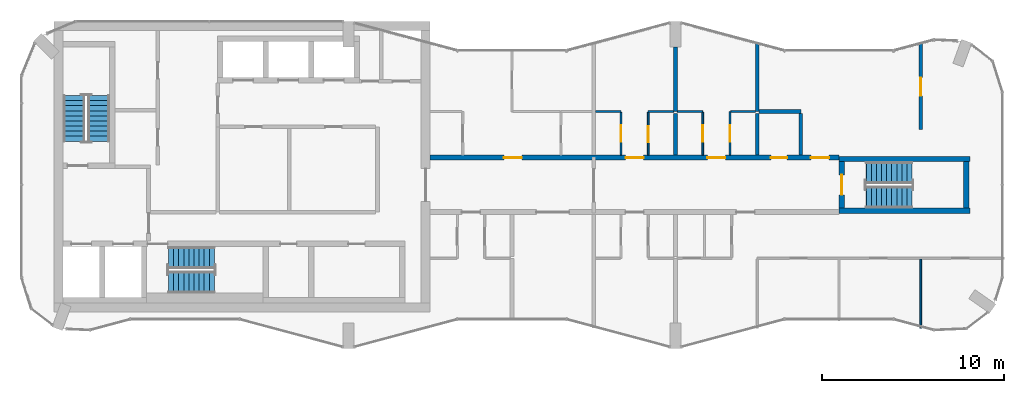
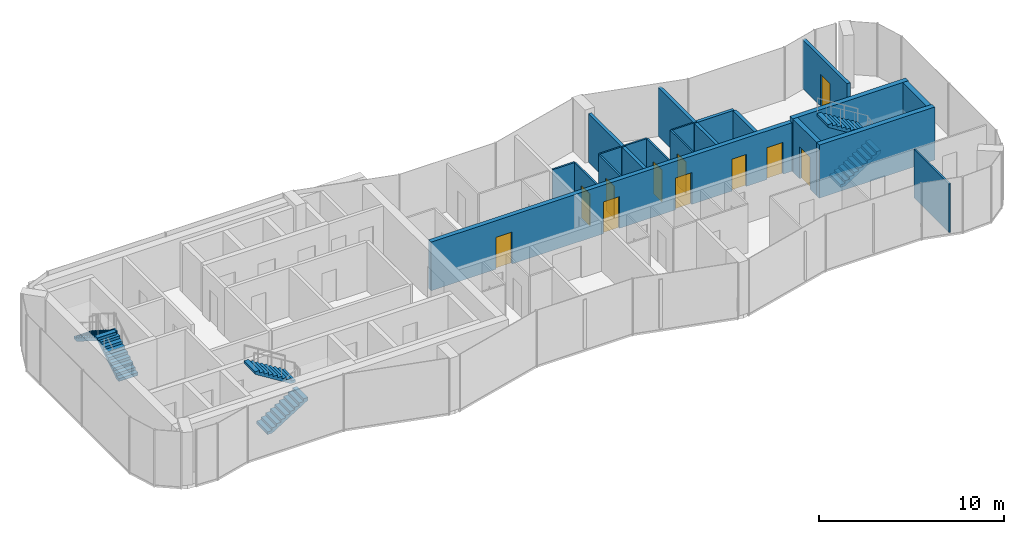
# One storey, part 8 of 9: 21 walls, 11 doors, 6 stair flights, 11 openings, 3 elements without a shape of their own.
"""IFC4 building model written with IfcOpenShell, lengths in metres."""

from ifc_helpers import new_model, si_unit, direction, frame, frame_2d, origin, place, context, subcontext, project, spatial, polyline, rectangle, outline, extrude, material, layer, layer_set, type_object, element, fill, aggregate, save


model = new_model("IFC4")

# Units and contexts
model_context = context("Model", 3, precision=1e-05, world=origin(), true_north=direction((0.0, 1.0)))
body_context = subcontext(model_context, "Body", "Model", "MODEL_VIEW")
ifc_project = project(units=[si_unit("LENGTHUNIT", "METRE"), si_unit("AREAUNIT", "SQUARE_METRE"), si_unit("VOLUMEUNIT", "CUBIC_METRE"), si_unit("PLANEANGLEUNIT", "RADIAN"), si_unit("MASSUNIT", "GRAM", prefix="KILO")], contexts=[model_context])

# Site, building, storey
site_placement = place(None, origin())
site = spatial("IfcSite", under=ifc_project, at=site_placement, CompositionType="ELEMENT")
building_placement = place(site_placement, origin())
building = spatial("IfcBuilding", under=site, at=building_placement, Name="Plateau Cross Towers", CompositionType="ELEMENT")
storey_placement = place(building_placement, frame((0.0, 0.0, 232.89990234375)))
storey = spatial("IfcBuildingStorey", under=building, at=storey_placement, Name="L61", CompositionType="ELEMENT", Elevation=232.89990234375)

# Wall, openings, doors
ifc_material_1 = material(Name="Concrete C60/75", Category="concrete")
ifc_layer_1 = layer(ifc_material_1, 0.27490234375)
ifc_layer_set_1 = layer_set([ifc_layer_1], Name="Concrete C60/75")
wall_type_1 = type_object("IfcWallType", Name="Corridor wall 275", PredefinedType="SHEAR", material=ifc_layer_set_1)
wall_1_placement = place(storey_placement, frame((22.5, 10.5, 0.0), z_axis=(0.0, 0.0, 1.0), x_axis=(1.0, 0.0, 0.0)))
wall_1 = element("IfcWall", 1, at=wall_1_placement, inside=storey, type_object=wall_type_1, Name="A-cw-S2@L61", PredefinedType="SHEAR", context=body_context, shape_type="SweptSolid", body=[
    extrude(rectangle(XDim=22.5, YDim=0.27490234375, at=frame_2d((11.25, 0.0))), origin(), (0.0, 0.0, 1.0), 3.2001953125),
])
opening_1_placement = place(wall_1_placement, frame((4.050048828125, 0.0, 0.0)))
opening_1 = element("IfcOpeningElement", 2, at=opening_1_placement, cuts=wall_1, Name="Opening 61-05", PredefinedType="OPENING", context=body_context, shape_type="SweptSolid", body=[
    extrude(rectangle(XDim=1.0, YDim=2.10009765625, at=frame_2d((0.5, 1.050048828125))), frame((0.0, 0.1474609375, 0.0), z_axis=(0.0, -1.0, 0.0), x_axis=(1.0, 0.0, 0.0)), (0.0, 0.0, 1.0), 0.294921875),
])
opening_2_placement = place(wall_1_placement, frame((10.75, 0.0, 0.0)))
opening_2 = element("IfcOpeningElement", 3, at=opening_2_placement, cuts=wall_1, Name="Opening 61-06", PredefinedType="OPENING", context=body_context, shape_type="SweptSolid", body=[
    extrude(rectangle(XDim=1.0, YDim=2.10009765625, at=frame_2d((0.5, 1.050048828125))), frame((0.0, 0.1474609375, 0.0), z_axis=(0.0, -1.0, 0.0), x_axis=(1.0, 0.0, 0.0)), (0.0, 0.0, 1.0), 0.294921875),
])
opening_3_placement = place(wall_1_placement, frame((15.25, 0.0, 0.0)))
opening_3 = element("IfcOpeningElement", 4, at=opening_3_placement, cuts=wall_1, Name="Opening 61-07", PredefinedType="OPENING", context=body_context, shape_type="SweptSolid", body=[
    extrude(rectangle(XDim=1.0, YDim=2.10009765625, at=frame_2d((0.5, 1.050048828125))), frame((0.0, 0.1474609375, 0.0), z_axis=(0.0, -1.0, 0.0), x_axis=(1.0, 0.0, 0.0)), (0.0, 0.0, 1.0), 0.294921875),
])
opening_4_placement = place(wall_1_placement, frame((18.75, 0.0, 0.0)))
opening_4 = element("IfcOpeningElement", 5, at=opening_4_placement, cuts=wall_1, Name="Opening 61-08", PredefinedType="OPENING", context=body_context, shape_type="SweptSolid", body=[
    extrude(rectangle(XDim=0.89990234375, YDim=2.10009765625, at=frame_2d((0.449951171875, 1.050048828125))), frame((0.0, 0.1474609375, 0.0), z_axis=(0.0, -1.0, 0.0), x_axis=(1.0, 0.0, 0.0)), (0.0, 0.0, 1.0), 0.294921875),
])
opening_5_placement = place(wall_1_placement, frame((20.949951171875, 0.0, 0.0)))
opening_5 = element("IfcOpeningElement", 6, at=opening_5_placement, cuts=wall_1, Name="Opening 61-09", PredefinedType="OPENING", context=body_context, shape_type="SweptSolid", body=[
    extrude(rectangle(XDim=1.0, YDim=2.10009765625, at=frame_2d((0.5, 1.050048828125))), frame((0.0, 0.1474609375, 0.0), z_axis=(0.0, -1.0, 0.0), x_axis=(1.0, 0.0, 0.0)), (0.0, 0.0, 1.0), 0.294921875),
])
ifc_material_2 = material(Name="Timber, fire-resisting leaf", Category="wood")
door_type_1 = type_object("IfcDoorType", Name="Flat entrance door 1000", OperationType="NOTDEFINED", PredefinedType="DOOR", material=ifc_material_2)
door_1_placement = place(opening_1_placement, origin())
door_1 = element("IfcDoor", 7, at=door_1_placement, inside=storey, type_object=door_type_1, Name="Door 61-05", OperationType="SINGLE_SWING_LEFT", OverallHeight=2.10009765625, OverallWidth=1.0, PredefinedType="DOOR", context=body_context, shape_type="SweptSolid", body=[
    extrude(rectangle(XDim=1.0, YDim=2.10009765625, at=frame_2d((0.5, 1.050048828125))), frame((0.0, 0.02490234375, 0.0), z_axis=(0.0, -1.0, 0.0), x_axis=(1.0, 0.0, 0.0)), (0.0, 0.0, 1.0), 0.050048828125),
])
fill(opening_1, door_1)
door_2_placement = place(opening_2_placement, origin())
door_2 = element("IfcDoor", 8, at=door_2_placement, inside=storey, type_object=door_type_1, Name="Door 61-06", OperationType="SINGLE_SWING_LEFT", OverallHeight=2.10009765625, OverallWidth=1.0, PredefinedType="DOOR", context=body_context, shape_type="SweptSolid", body=[
    extrude(rectangle(XDim=1.0, YDim=2.10009765625, at=frame_2d((0.5, 1.050048828125))), frame((0.0, 0.02490234375, 0.0), z_axis=(0.0, -1.0, 0.0), x_axis=(1.0, 0.0, 0.0)), (0.0, 0.0, 1.0), 0.050048828125),
])
fill(opening_2, door_2)
door_3_placement = place(opening_3_placement, origin())
door_3 = element("IfcDoor", 9, at=door_3_placement, inside=storey, type_object=door_type_1, Name="Door 61-07", OperationType="SINGLE_SWING_RIGHT", OverallHeight=2.10009765625, OverallWidth=1.0, PredefinedType="DOOR", context=body_context, shape_type="SweptSolid", body=[
    extrude(rectangle(XDim=1.0, YDim=2.10009765625, at=frame_2d((0.5, 1.050048828125))), frame((0.0, 0.02490234375, 0.0), z_axis=(0.0, -1.0, 0.0), x_axis=(1.0, 0.0, 0.0)), (0.0, 0.0, 1.0), 0.050048828125),
])
fill(opening_3, door_3)
door_4_placement = place(opening_5_placement, origin())
door_4 = element("IfcDoor", 10, at=door_4_placement, inside=storey, type_object=door_type_1, Name="Door 61-09", OperationType="SINGLE_SWING_RIGHT", OverallHeight=2.10009765625, OverallWidth=1.0, PredefinedType="DOOR", context=body_context, shape_type="SweptSolid", body=[
    extrude(rectangle(XDim=1.0, YDim=2.10009765625, at=frame_2d((0.5, 1.050048828125))), frame((0.0, 0.02490234375, 0.0), z_axis=(0.0, -1.0, 0.0), x_axis=(1.0, 0.0, 0.0)), (0.0, 0.0, 1.0), 0.050048828125),
])
fill(opening_5, door_4)
door_type_2 = type_object("IfcDoorType", Name="Flat floor service door 900", OperationType="NOTDEFINED", PredefinedType="DOOR", material=ifc_material_2)
door_5_placement = place(opening_4_placement, origin())
door_5 = element("IfcDoor", 11, at=door_5_placement, inside=storey, type_object=door_type_2, Name="Door 61-08", OperationType="SINGLE_SWING_RIGHT", OverallHeight=2.10009765625, OverallWidth=0.89990234375, PredefinedType="DOOR", context=body_context, shape_type="SweptSolid", body=[
    extrude(rectangle(XDim=0.89990234375, YDim=2.10009765625, at=frame_2d((0.449951171875, 1.050048828125))), frame((0.0, 0.02490234375, 0.0), z_axis=(0.0, -1.0, 0.0), x_axis=(1.0, 0.0, 0.0)), (0.0, 0.0, 1.0), 0.050048828125),
])
fill(opening_4, door_5)

# Walls
ifc_material_3 = material(Name="Gypsum board on steel studs", Category="steel")
ifc_layer_2 = layer(ifc_material_3, 0.10009765625)
ifc_layer_set_2 = layer_set([ifc_layer_2], Name="Gypsum board on steel studs")
wall_type_2 = type_object("IfcWallType", Name="Flat partition 100", PredefinedType="PARTITIONING", material=ifc_layer_set_2)
for number, where, z_axis, x_axis, name in (
    (12, (33.0, 13.03759765625, 0.0), (0.0, 0.0, 1.0), (-1.0, 0.0, 0.0), "Partition wall"),
    (13, (35.89990234375, 13.03759765625, 0.0), (0.0, 0.0, 1.0), (-1.0, 0.0, 0.0), "Partition wall"),
    (14, (37.5, 13.03759765625, 0.0), (0.0, 0.0, 1.0), (-1.0, 0.0, 0.0), "Partition wall"),
):
    element("IfcWall", number, at=place(storey_placement, frame(where, z_axis=z_axis, x_axis=x_axis)), inside=storey, type_object=wall_type_2, Name=name, PredefinedType="PARTITIONING", context=body_context, shape_type="SweptSolid", body=[
        extrude(rectangle(XDim=1.39990234375, YDim=0.10009765625, at=frame_2d((0.699951171875, 0.0))), origin(), (0.0, 0.0, 1.0), 3.2001953125),
    ])
wall_2_placement = place(storey_placement, frame((40.39990234375, 13.03759765625, 0.0), z_axis=(0.0, 0.0, 1.0), x_axis=(-1.0, 0.0, 0.0)))
element("IfcWall", 15, at=wall_2_placement, inside=storey, type_object=wall_type_2, Name="Partition wall", PredefinedType="PARTITIONING", context=body_context, shape_type="SweptSolid", body=[
    extrude(rectangle(XDim=1.349853515625, YDim=0.10009765625, at=frame_2d((0.6748046875, 0.0))), origin(), (0.0, 0.0, 1.0), 3.2001953125),
])

# Wall, opening, door
wall_3_placement = place(storey_placement, frame((33.0, 10.637451171875, 0.0), z_axis=(0.0, 0.0, 1.0), x_axis=(0.0, 1.0, 0.0)))
wall_3 = element("IfcWall", 16, at=wall_3_placement, inside=storey, type_object=wall_type_2, Name="Partition wall", PredefinedType="PARTITIONING", context=body_context, shape_type="SweptSolid", body=[
    extrude(rectangle(XDim=2.35009765625, YDim=0.10009765625, at=frame_2d((1.175048828125, 0.0))), origin(), (0.0, 0.0, 1.0), 3.2001953125),
])
opening_6_placement = place(wall_3_placement, frame((0.75, 0.0, 0.0)))
opening_6 = element("IfcOpeningElement", 17, at=opening_6_placement, cuts=wall_3, Name="Opening 61-24", PredefinedType="OPENING", context=body_context, shape_type="SweptSolid", body=[
    extrude(rectangle(XDim=0.89990234375, YDim=2.10009765625, at=frame_2d((0.449951171875, 1.050048828125))), frame((0.0, 0.06005859375, 0.0), z_axis=(0.0, -1.0, 0.0), x_axis=(1.0, 0.0, 0.0)), (0.0, 0.0, 1.0), 0.1201171875),
])
ifc_material_4 = material(Name="Timber leaf", Category="wood")
door_type_3 = type_object("IfcDoorType", Name="Flat room door 900", OperationType="NOTDEFINED", PredefinedType="DOOR", material=ifc_material_4)
door_6_placement = place(opening_6_placement, origin())
door_6 = element("IfcDoor", 18, at=door_6_placement, inside=storey, type_object=door_type_3, Name="Door 61-24", OperationType="SINGLE_SWING_RIGHT", OverallHeight=2.10009765625, OverallWidth=0.89990234375, PredefinedType="DOOR", context=body_context, shape_type="SweptSolid", body=[
    extrude(rectangle(XDim=0.89990234375, YDim=2.10009765625, at=frame_2d((0.449951171875, 1.050048828125))), frame((0.0, 0.02490234375, 0.0), z_axis=(0.0, -1.0, 0.0), x_axis=(1.0, 0.0, 0.0)), (0.0, 0.0, 1.0), 0.050048828125),
])
fill(opening_6, door_6)

wall_4_placement = place(storey_placement, frame((34.5, 12.987548828125, 0.0), z_axis=(0.0, 0.0, 1.0), x_axis=(0.0, -1.0, 0.0)))
wall_4 = element("IfcWall", 19, at=wall_4_placement, inside=storey, type_object=wall_type_2, Name="Partition wall", PredefinedType="PARTITIONING", context=body_context, shape_type="SweptSolid", body=[
    extrude(rectangle(XDim=2.35009765625, YDim=0.10009765625, at=frame_2d((1.175048828125, 0.0))), origin(), (0.0, 0.0, 1.0), 3.2001953125),
])
opening_7_placement = place(wall_4_placement, frame((0.75, 0.0, 0.0)))
opening_7 = element("IfcOpeningElement", 20, at=opening_7_placement, cuts=wall_4, Name="Opening 61-25", PredefinedType="OPENING", context=body_context, shape_type="SweptSolid", body=[
    extrude(rectangle(XDim=0.89990234375, YDim=2.10009765625, at=frame_2d((0.449951171875, 1.050048828125))), frame((0.0, 0.06005859375, 0.0), z_axis=(0.0, -1.0, 0.0), x_axis=(1.0, 0.0, 0.0)), (0.0, 0.0, 1.0), 0.1201171875),
])
door_7_placement = place(opening_7_placement, origin())
door_7 = element("IfcDoor", 21, at=door_7_placement, inside=storey, type_object=door_type_3, Name="Door 61-25", OperationType="SINGLE_SWING_RIGHT", OverallHeight=2.10009765625, OverallWidth=0.89990234375, PredefinedType="DOOR", context=body_context, shape_type="SweptSolid", body=[
    extrude(rectangle(XDim=0.89990234375, YDim=2.10009765625, at=frame_2d((0.449951171875, 1.050048828125))), frame((0.0, 0.02490234375, 0.0), z_axis=(0.0, -1.0, 0.0), x_axis=(1.0, 0.0, 0.0)), (0.0, 0.0, 1.0), 0.050048828125),
])
fill(opening_7, door_7)

wall_5_placement = place(storey_placement, frame((37.5, 10.637451171875, 0.0), z_axis=(0.0, 0.0, 1.0), x_axis=(0.0, 1.0, 0.0)))
wall_5 = element("IfcWall", 22, at=wall_5_placement, inside=storey, type_object=wall_type_2, Name="Partition wall", PredefinedType="PARTITIONING", context=body_context, shape_type="SweptSolid", body=[
    extrude(rectangle(XDim=2.35009765625, YDim=0.10009765625, at=frame_2d((1.175048828125, 0.0))), origin(), (0.0, 0.0, 1.0), 3.2001953125),
])
opening_8_placement = place(wall_5_placement, frame((0.75, 0.0, 0.0)))
opening_8 = element("IfcOpeningElement", 23, at=opening_8_placement, cuts=wall_5, Name="Opening 61-26", PredefinedType="OPENING", context=body_context, shape_type="SweptSolid", body=[
    extrude(rectangle(XDim=0.89990234375, YDim=2.10009765625, at=frame_2d((0.449951171875, 1.050048828125))), frame((0.0, 0.06005859375, 0.0), z_axis=(0.0, -1.0, 0.0), x_axis=(1.0, 0.0, 0.0)), (0.0, 0.0, 1.0), 0.1201171875),
])
door_8_placement = place(opening_8_placement, origin())
door_8 = element("IfcDoor", 24, at=door_8_placement, inside=storey, type_object=door_type_3, Name="Door 61-26", OperationType="SINGLE_SWING_RIGHT", OverallHeight=2.10009765625, OverallWidth=0.89990234375, PredefinedType="DOOR", context=body_context, shape_type="SweptSolid", body=[
    extrude(rectangle(XDim=0.89990234375, YDim=2.10009765625, at=frame_2d((0.449951171875, 1.050048828125))), frame((0.0, 0.02490234375, 0.0), z_axis=(0.0, -1.0, 0.0), x_axis=(1.0, 0.0, 0.0)), (0.0, 0.0, 1.0), 0.050048828125),
])
fill(opening_8, door_8)

wall_6_placement = place(storey_placement, frame((39.0, 13.03759765625, 0.0), z_axis=(0.0, 0.0, 1.0), x_axis=(0.0, -1.0, 0.0)))
wall_6 = element("IfcWall", 25, at=wall_6_placement, inside=storey, type_object=wall_type_2, Name="Partition wall", PredefinedType="PARTITIONING", context=body_context, shape_type="SweptSolid", body=[
    extrude(rectangle(XDim=2.400146484375, YDim=0.10009765625, at=frame_2d((1.2001953125, 0.0))), origin(), (0.0, 0.0, 1.0), 3.2001953125),
])
opening_9_placement = place(wall_6_placement, frame((0.75, 0.0, 0.0)))
opening_9 = element("IfcOpeningElement", 26, at=opening_9_placement, cuts=wall_6, Name="Opening 61-27", PredefinedType="OPENING", context=body_context, shape_type="SweptSolid", body=[
    extrude(rectangle(XDim=0.89990234375, YDim=2.10009765625, at=frame_2d((0.449951171875, 1.050048828125))), frame((0.0, 0.06005859375, 0.0), z_axis=(0.0, -1.0, 0.0), x_axis=(1.0, 0.0, 0.0)), (0.0, 0.0, 1.0), 0.1201171875),
])
door_9_placement = place(opening_9_placement, origin())
door_9 = element("IfcDoor", 27, at=door_9_placement, inside=storey, type_object=door_type_3, Name="Door 61-27", OperationType="SINGLE_SWING_LEFT", OverallHeight=2.10009765625, OverallWidth=0.89990234375, PredefinedType="DOOR", context=body_context, shape_type="SweptSolid", body=[
    extrude(rectangle(XDim=0.89990234375, YDim=2.10009765625, at=frame_2d((0.449951171875, 1.050048828125))), frame((0.0, 0.02490234375, 0.0), z_axis=(0.0, -1.0, 0.0), x_axis=(1.0, 0.0, 0.0)), (0.0, 0.0, 1.0), 0.050048828125),
])
fill(opening_9, door_9)

# Walls
wall_7_placement = place(storey_placement, frame((49.5, 1.122314453125, 0.0), z_axis=(0.0, 0.0, 1.0), x_axis=(0.0, 1.0, 0.0)))
element("IfcWall", 28, at=wall_7_placement, inside=storey, type_object=wall_type_2, Name="Partition wall", PredefinedType="PARTITIONING", context=body_context, shape_type="SweptSolid", body=[
    extrude(rectangle(XDim=3.790283203125, YDim=0.10009765625, at=frame_2d((1.89501953125, 0.0))), origin(), (0.0, 0.0, 1.0), 3.2001953125),
])
ifc_material_5 = material(Name="Gypsum board on steel studs, two layers each side", Category="steel")
ifc_layer_3 = layer(ifc_material_5, 0.199951171875)
ifc_layer_set_3 = layer_set([ifc_layer_3], Name="Gypsum board on steel studs, two layers each side")
wall_type_3 = type_object("IfcWallType", Name="Flat party wall 200", PredefinedType="PARTITIONING", material=ifc_layer_set_3)
wall_8_placement = place(storey_placement, frame((42.89990234375, 13.03759765625, 0.0), z_axis=(0.0, 0.0, 1.0), x_axis=(-1.0, 0.0, 0.0)))
element("IfcWall", 29, at=wall_8_placement, inside=storey, type_object=wall_type_3, Name="Party wall", PredefinedType="PARTITIONING", context=body_context, shape_type="SweptSolid", body=[
    extrude(rectangle(XDim=2.2998046875, YDim=0.199951171875, at=frame_2d((1.14990234375, 0.0))), origin(), (0.0, 0.0, 1.0), 3.2001953125),
])
wall_9_placement = place(storey_placement, frame((36.0, 16.60009765625, 0.0), z_axis=(0.0, 0.0, 1.0), x_axis=(0.0, -1.0, 0.0)))
element("IfcWall", 30, at=wall_9_placement, inside=storey, type_object=wall_type_3, Name="Party wall", PredefinedType="PARTITIONING", context=body_context, shape_type="SweptSolid", body=[
    extrude(rectangle(XDim=3.5625, YDim=0.199951171875, at=frame_2d((1.78125, 0.0))), origin(), (0.0, 0.0, 1.0), 3.2001953125),
])
wall_10_placement = place(storey_placement, frame((36.0, 10.637451171875, 0.0), z_axis=(0.0, 0.0, 1.0), x_axis=(0.0, 1.0, 0.0)))
element("IfcWall", 31, at=wall_10_placement, inside=storey, type_object=wall_type_3, Name="Party wall", PredefinedType="PARTITIONING", context=body_context, shape_type="SweptSolid", body=[
    extrude(rectangle(XDim=2.300048828125, YDim=0.199951171875, at=frame_2d((1.14990234375, 0.0))), origin(), (0.0, 0.0, 1.0), 3.2001953125),
])
wall_11_placement = place(storey_placement, frame((40.5, 16.877685546875, 0.0), z_axis=(0.0, 0.0, 1.0), x_axis=(0.0, -1.0, 0.0)))
element("IfcWall", 32, at=wall_11_placement, inside=storey, type_object=wall_type_3, Name="Party wall", PredefinedType="PARTITIONING", context=body_context, shape_type="SweptSolid", body=[
    extrude(rectangle(XDim=3.840087890625, YDim=0.199951171875, at=frame_2d((1.919921875, 0.0))), origin(), (0.0, 0.0, 1.0), 3.2001953125),
])
for number, where, z_axis, x_axis, name in (
    (33, (40.5, 10.637451171875, 0.0), (0.0, 0.0, 1.0), (0.0, 1.0, 0.0), "Party wall"),
    (34, (42.89990234375, 10.637451171875, 0.0), (0.0, 0.0, 1.0), (0.0, 1.0, 0.0), "Party wall"),
):
    element("IfcWall", number, at=place(storey_placement, frame(where, z_axis=z_axis, x_axis=x_axis)), inside=storey, type_object=wall_type_3, Name=name, PredefinedType="PARTITIONING", context=body_context, shape_type="SweptSolid", body=[
        extrude(rectangle(XDim=2.300048828125, YDim=0.199951171875, at=frame_2d((1.14990234375, 0.0))), origin(), (0.0, 0.0, 1.0), 3.2001953125),
    ])

# Wall, opening, door
wall_12_placement = place(storey_placement, frame((49.5, 12.050048828125, 0.0), z_axis=(0.0, 0.0, 1.0), x_axis=(0.0, 1.0, 0.0)))
wall_12 = element("IfcWall", 35, at=wall_12_placement, inside=storey, type_object=wall_type_3, Name="Party wall", PredefinedType="PARTITIONING", context=body_context, shape_type="SweptSolid", body=[
    extrude(rectangle(XDim=4.82763671875, YDim=0.199951171875, at=frame_2d((2.413818359375, 0.0))), origin(), (0.0, 0.0, 1.0), 3.2001953125),
])
opening_10_placement = place(wall_12_placement, frame((1.85009765625, 0.0, 0.0)))
opening_10 = element("IfcOpeningElement", 36, at=opening_10_placement, cuts=wall_12, Name="Opening 61-11", PredefinedType="OPENING", context=body_context, shape_type="SweptSolid", body=[
    extrude(rectangle(XDim=1.0, YDim=2.10009765625, at=frame_2d((0.5, 1.050048828125))), frame((0.0, 0.10986328125, 0.0), z_axis=(0.0, -1.0, 0.0), x_axis=(1.0, 0.0, 0.0)), (0.0, 0.0, 1.0), 0.219970703125),
])
door_10_placement = place(opening_10_placement, origin())
door_10 = element("IfcDoor", 37, at=door_10_placement, inside=storey, type_object=door_type_1, Name="Door 61-11", OperationType="SINGLE_SWING_LEFT", OverallHeight=2.10009765625, OverallWidth=1.0, PredefinedType="DOOR", context=body_context, shape_type="SweptSolid", body=[
    extrude(rectangle(XDim=1.0, YDim=2.10009765625, at=frame_2d((0.5, 1.050048828125))), frame((0.0, 0.02490234375, 0.0), z_axis=(0.0, -1.0, 0.0), x_axis=(1.0, 0.0, 0.0)), (0.0, 0.0, 1.0), 0.050048828125),
])
fill(opening_10, door_10)

ifc_layer_4 = layer(ifc_material_1, 0.300048828125)
ifc_layer_set_4 = layer_set([ifc_layer_4], Name="Concrete C60/75")
wall_type_4 = type_object("IfcWallType", Name="Stair tower wall 300", PredefinedType="SHEAR", material=ifc_layer_set_4)
wall_13_placement = place(storey_placement, frame((45.14990234375, 7.72509765625, 0.0), z_axis=(0.0, 0.0, 1.0), x_axis=(0.0, 1.0, 0.0)))
wall_13 = element("IfcWall", 38, at=wall_13_placement, inside=storey, type_object=wall_type_4, Name="A-end-E-W@L61", PredefinedType="SHEAR", context=body_context, shape_type="SweptSolid", body=[
    extrude(rectangle(XDim=2.5498046875, YDim=0.300048828125, at=frame_2d((1.27490234375, 0.0))), origin(), (0.0, 0.0, 1.0), 3.5),
])
opening_11_placement = place(wall_13_placement, frame((0.72509765625, 0.0, 0.0)))
opening_11 = element("IfcOpeningElement", 39, at=opening_11_placement, cuts=wall_13, Name="Opening SD", PredefinedType="OPENING", context=body_context, shape_type="SweptSolid", body=[
    extrude(rectangle(XDim=1.10009765625, YDim=2.10009765625, at=frame_2d((0.550048828125, 1.050048828125))), frame((0.0, 0.159912109375, 0.0), z_axis=(0.0, -1.0, 0.0), x_axis=(1.0, 0.0, 0.0)), (0.0, 0.0, 1.0), 0.320068359375),
])
ifc_material_6 = material(Name="Steel, fire-resisting leaf", Category="steel")
door_type_4 = type_object("IfcDoorType", Name="Stair door 1100", OperationType="NOTDEFINED", PredefinedType="DOOR", material=ifc_material_6)
door_11_placement = place(opening_11_placement, origin())
door_11 = element("IfcDoor", 40, at=door_11_placement, inside=storey, type_object=door_type_4, Name="Stair door SD", OperationType="SINGLE_SWING_LEFT", OverallHeight=2.10009765625, OverallWidth=1.10009765625, PredefinedType="DOOR", context=body_context, shape_type="SweptSolid", body=[
    extrude(rectangle(XDim=1.10009765625, YDim=2.10009765625, at=frame_2d((0.550048828125, 1.050048828125))), frame((0.0, 0.02490234375, 0.0), z_axis=(0.0, -1.0, 0.0), x_axis=(1.0, 0.0, 0.0)), (0.0, 0.0, 1.0), 0.050048828125),
])
fill(opening_11, door_11)

# Walls
wall_14_placement = place(storey_placement, frame((52.0, 7.72509765625, 0.0), z_axis=(0.0, 0.0, 1.0), x_axis=(0.0, 1.0, 0.0)))
element("IfcWall", 41, at=wall_14_placement, inside=storey, type_object=wall_type_4, Name="A-end-E-E@L61", PredefinedType="SHEAR", context=body_context, shape_type="SweptSolid", body=[
    extrude(rectangle(XDim=2.5498046875, YDim=0.300048828125, at=frame_2d((1.27490234375, 0.0))), origin(), (0.0, 0.0, 1.0), 3.5),
])
for number, where, z_axis, x_axis, name in (
    (42, (45.0, 7.574951171875, 0.0), (0.0, 0.0, 1.0), (1.0, 0.0, 0.0), "A-end-E-S@L61"),
    (43, (45.0, 10.425048828125, 0.0), (0.0, 0.0, 1.0), (1.0, 0.0, 0.0), "A-end-E-N@L61"),
):
    element("IfcWall", number, at=place(storey_placement, frame(where, z_axis=z_axis, x_axis=x_axis)), inside=storey, type_object=wall_type_4, Name=name, PredefinedType="SHEAR", context=body_context, shape_type="SweptSolid", body=[
        extrude(rectangle(XDim=7.199951171875, YDim=0.300048828125, at=frame_2d((3.60009765625, 0.0))), origin(), (0.0, 0.0, 1.0), 3.5),
    ])

# Stair, stair flights
ifc_material_7 = material(Name="Concrete C40/50", Category="concrete")
stair_type = type_object("IfcStairType", Name="ST-TWR", PredefinedType="HALF_TURN_STAIR", material=ifc_material_7)
stair_1_placement = place(storey_placement, origin())
stair_1 = element("IfcStair", 44, at=stair_1_placement, inside=storey, type_object=stair_type, Name="L61 Protected Exit Stair ST-1", PredefinedType="HALF_TURN_STAIR")
stair_flight_type = type_object("IfcStairFlightType", Name="SFL-RC", PredefinedType="STRAIGHT", material=ifc_material_7)
stair_flight_1_placement = place(storey_placement, frame((4.25, 11.39990234375, 0.0), z_axis=(0.0, 0.0, 1.0), x_axis=(0.0, 1.0, 0.0)))
stair_flight_1 = element("IfcStairFlight", 45, at=stair_flight_1_placement, type_object=stair_flight_type, Name="ST-1 flight 1", NumberOfRisers=10, NumberOfTreads=9, PredefinedType="STRAIGHT", RiserHeight=0.175, TreadLength=0.28, context=body_context, shape_type="SweptSolid", body=[
    extrude(outline(polyline([(-0.0048828125, -0.010009765625), (-0.0048828125, 0.0), (0.0, 0.0), (0.0, 0.175048828125), (0.280029296875, 0.175048828125), (0.280029296875, 0.35009765625), (0.56005859375, 0.35009765625), (0.56005859375, 0.52490234375), (0.840087890625, 0.52490234375), (0.840087890625, 0.699951171875), (1.1201171875, 0.699951171875), (1.1201171875, 0.875), (1.39990234375, 0.875), (1.39990234375, 1.050048828125), (1.679931640625, 1.050048828125), (1.679931640625, 1.22509765625), (1.9599609375, 1.22509765625), (1.9599609375, 1.39990234375), (2.239990234375, 1.39990234375), (2.239990234375, 1.574951171875), (2.52001953125, 1.574951171875), (2.52490234375, 1.56494140625), (2.52490234375, 1.398193359375), (2.52001953125, 1.398193359375), (0.28271484375, 0.0), (0.02001953125, 0.0), (0.02001953125, -0.010009765625), (-0.0048828125, -0.010009765625)])), frame((0.0, 0.60009765625, 0.0), z_axis=(0.0, -1.0, 0.0), x_axis=(1.0, 0.0, 0.0)), (0.0, 0.0, 1.0), 1.199951171875),
])
stair_flight_2_placement = place(storey_placement, frame((2.89990234375, 13.919921875, 1.75), z_axis=(0.0, 0.0, 1.0), x_axis=(0.0, -1.0, 0.0)))
stair_flight_2 = element("IfcStairFlight", 46, at=stair_flight_2_placement, type_object=stair_flight_type, Name="ST-1 flight 2", NumberOfRisers=10, NumberOfTreads=9, PredefinedType="STRAIGHT", RiserHeight=0.175, TreadLength=0.28, context=body_context, shape_type="SweptSolid", body=[
    extrude(outline(polyline([(-0.0048828125, -0.010009765625), (-0.0048828125, 0.0), (0.0, 0.0), (0.0, 0.175048828125), (0.280029296875, 0.175048828125), (0.280029296875, 0.35009765625), (0.56005859375, 0.35009765625), (0.56005859375, 0.52490234375), (0.840087890625, 0.52490234375), (0.840087890625, 0.699951171875), (1.1201171875, 0.699951171875), (1.1201171875, 0.875), (1.39990234375, 0.875), (1.39990234375, 1.050048828125), (1.679931640625, 1.050048828125), (1.679931640625, 1.22509765625), (1.9599609375, 1.22509765625), (1.9599609375, 1.39990234375), (2.239990234375, 1.39990234375), (2.239990234375, 1.574951171875), (2.52001953125, 1.574951171875), (2.52490234375, 1.56494140625), (2.52490234375, 1.398193359375), (2.52001953125, 1.398193359375), (0.28271484375, 0.0), (0.02001953125, 0.0), (0.02001953125, -0.010009765625), (-0.0048828125, -0.010009765625)])), frame((0.0, 0.60009765625, 0.0), z_axis=(0.0, -1.0, 0.0), x_axis=(1.0, 0.0, 0.0)), (0.0, 0.0, 1.0), 1.199951171875),
])
aggregate(stair_1, [stair_flight_1, stair_flight_2])

stair_2_placement = place(storey_placement, origin())
stair_2 = element("IfcStair", 47, at=stair_2_placement, inside=storey, type_object=stair_type, Name="L61 Protected Exit Stair ST-2", PredefinedType="HALF_TURN_STAIR")
stair_flight_3_placement = place(storey_placement, frame((8.10009765625, 3.64990234375, 0.0), z_axis=(0.0, 0.0, 1.0), x_axis=(1.0, 0.0, 0.0)))
stair_flight_3 = element("IfcStairFlight", 48, at=stair_flight_3_placement, type_object=stair_flight_type, Name="ST-2 flight 1", NumberOfRisers=10, NumberOfTreads=9, PredefinedType="STRAIGHT", RiserHeight=0.175, TreadLength=0.28, context=body_context, shape_type="SweptSolid", body=[
    extrude(outline(polyline([(-0.0048828125, -0.010009765625), (-0.0048828125, 0.0), (0.0, 0.0), (0.0, 0.175048828125), (0.280029296875, 0.175048828125), (0.280029296875, 0.35009765625), (0.56005859375, 0.35009765625), (0.56005859375, 0.52490234375), (0.840087890625, 0.52490234375), (0.840087890625, 0.699951171875), (1.1201171875, 0.699951171875), (1.1201171875, 0.875), (1.39990234375, 0.875), (1.39990234375, 1.050048828125), (1.679931640625, 1.050048828125), (1.679931640625, 1.22509765625), (1.9599609375, 1.22509765625), (1.9599609375, 1.39990234375), (2.239990234375, 1.39990234375), (2.239990234375, 1.574951171875), (2.52001953125, 1.574951171875), (2.52490234375, 1.56494140625), (2.52490234375, 1.398193359375), (2.52001953125, 1.398193359375), (0.28271484375, 0.0), (0.02001953125, 0.0), (0.02001953125, -0.010009765625), (-0.0048828125, -0.010009765625)])), frame((0.0, 0.60009765625, 0.0), z_axis=(0.0, -1.0, 0.0), x_axis=(1.0, 0.0, 0.0)), (0.0, 0.0, 1.0), 1.199951171875),
])
stair_flight_4_placement = place(storey_placement, frame((10.6201171875, 5.0, 1.75), z_axis=(0.0, 0.0, 1.0), x_axis=(-1.0, 0.0, 0.0)))
stair_flight_4 = element("IfcStairFlight", 49, at=stair_flight_4_placement, type_object=stair_flight_type, Name="ST-2 flight 2", NumberOfRisers=10, NumberOfTreads=9, PredefinedType="STRAIGHT", RiserHeight=0.175, TreadLength=0.28, context=body_context, shape_type="SweptSolid", body=[
    extrude(outline(polyline([(-0.0048828125, -0.010009765625), (-0.0048828125, 0.0), (0.0, 0.0), (0.0, 0.175048828125), (0.280029296875, 0.175048828125), (0.280029296875, 0.35009765625), (0.56005859375, 0.35009765625), (0.56005859375, 0.52490234375), (0.840087890625, 0.52490234375), (0.840087890625, 0.699951171875), (1.1201171875, 0.699951171875), (1.1201171875, 0.875), (1.39990234375, 0.875), (1.39990234375, 1.050048828125), (1.679931640625, 1.050048828125), (1.679931640625, 1.22509765625), (1.9599609375, 1.22509765625), (1.9599609375, 1.39990234375), (2.239990234375, 1.39990234375), (2.239990234375, 1.574951171875), (2.52001953125, 1.574951171875), (2.52490234375, 1.56494140625), (2.52490234375, 1.398193359375), (2.52001953125, 1.398193359375), (0.28271484375, 0.0), (0.02001953125, 0.0), (0.02001953125, -0.010009765625), (-0.0048828125, -0.010009765625)])), frame((0.0, 0.60009765625, 0.0), z_axis=(0.0, -1.0, 0.0), x_axis=(1.0, 0.0, 0.0)), (0.0, 0.0, 1.0), 1.199951171875),
])
aggregate(stair_2, [stair_flight_3, stair_flight_4])

stair_3_placement = place(storey_placement, origin())
stair_3 = element("IfcStair", 50, at=stair_3_placement, inside=storey, type_object=stair_type, Name="L61 Protected Exit Stair E", PredefinedType="HALF_TURN_STAIR")
stair_flight_5_placement = place(storey_placement, frame((46.5, 8.324951171875, 0.0), z_axis=(0.0, 0.0, 1.0), x_axis=(1.0, 0.0, 0.0)))
stair_flight_5 = element("IfcStairFlight", 51, at=stair_flight_5_placement, type_object=stair_flight_type, Name="ES-E flight 1", NumberOfRisers=10, NumberOfTreads=9, PredefinedType="STRAIGHT", RiserHeight=0.175, TreadLength=0.28, context=body_context, shape_type="SweptSolid", body=[
    extrude(outline(polyline([(-0.0048828125, -0.010009765625), (-0.0048828125, 0.0), (0.0, 0.0), (0.0, 0.175048828125), (0.280029296875, 0.175048828125), (0.280029296875, 0.35009765625), (0.56005859375, 0.35009765625), (0.56005859375, 0.52490234375), (0.840087890625, 0.52490234375), (0.840087890625, 0.699951171875), (1.1201171875, 0.699951171875), (1.1201171875, 0.875), (1.39990234375, 0.875), (1.39990234375, 1.050048828125), (1.679931640625, 1.050048828125), (1.679931640625, 1.22509765625), (1.9599609375, 1.22509765625), (1.9599609375, 1.39990234375), (2.239990234375, 1.39990234375), (2.239990234375, 1.574951171875), (2.52001953125, 1.574951171875), (2.52490234375, 1.56494140625), (2.52490234375, 1.398193359375), (2.52001953125, 1.398193359375), (0.28271484375, 0.0), (0.02001953125, 0.0), (0.02001953125, -0.010009765625), (-0.0048828125, -0.010009765625)])), frame((0.0, 0.60009765625, 0.0), z_axis=(0.0, -1.0, 0.0), x_axis=(1.0, 0.0, 0.0)), (0.0, 0.0, 1.0), 1.199951171875),
])
stair_flight_6_placement = place(storey_placement, frame((49.02001953125, 9.675048828125, 1.75), z_axis=(0.0, 0.0, 1.0), x_axis=(-1.0, 0.0, 0.0)))
stair_flight_6 = element("IfcStairFlight", 52, at=stair_flight_6_placement, type_object=stair_flight_type, Name="ES-E flight 2", NumberOfRisers=10, NumberOfTreads=9, PredefinedType="STRAIGHT", RiserHeight=0.175, TreadLength=0.28, context=body_context, shape_type="SweptSolid", body=[
    extrude(outline(polyline([(-0.0048828125, -0.010009765625), (-0.0048828125, 0.0), (0.0, 0.0), (0.0, 0.175048828125), (0.280029296875, 0.175048828125), (0.280029296875, 0.35009765625), (0.56005859375, 0.35009765625), (0.56005859375, 0.52490234375), (0.840087890625, 0.52490234375), (0.840087890625, 0.699951171875), (1.1201171875, 0.699951171875), (1.1201171875, 0.875), (1.39990234375, 0.875), (1.39990234375, 1.050048828125), (1.679931640625, 1.050048828125), (1.679931640625, 1.22509765625), (1.9599609375, 1.22509765625), (1.9599609375, 1.39990234375), (2.239990234375, 1.39990234375), (2.239990234375, 1.574951171875), (2.52001953125, 1.574951171875), (2.52490234375, 1.56494140625), (2.52490234375, 1.398193359375), (2.52001953125, 1.398193359375), (0.28271484375, 0.0), (0.02001953125, 0.0), (0.02001953125, -0.010009765625), (-0.0048828125, -0.010009765625)])), frame((0.0, 0.60009765625, 0.0), z_axis=(0.0, -1.0, 0.0), x_axis=(1.0, 0.0, 0.0)), (0.0, 0.0, 1.0), 1.199951171875),
])
aggregate(stair_3, [stair_flight_5, stair_flight_6])

save(model, "model.ifc")
